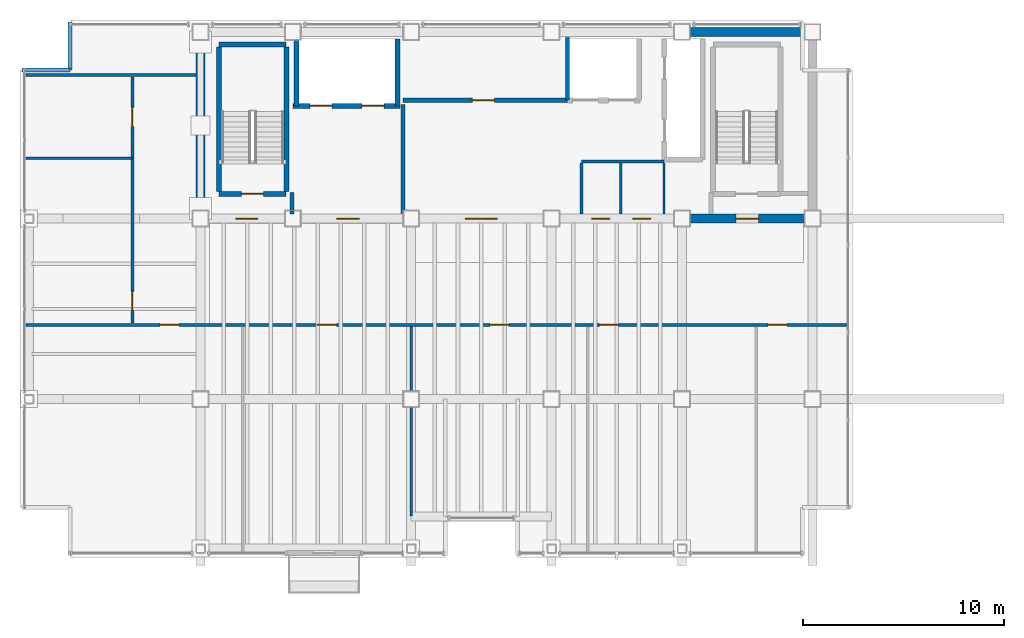
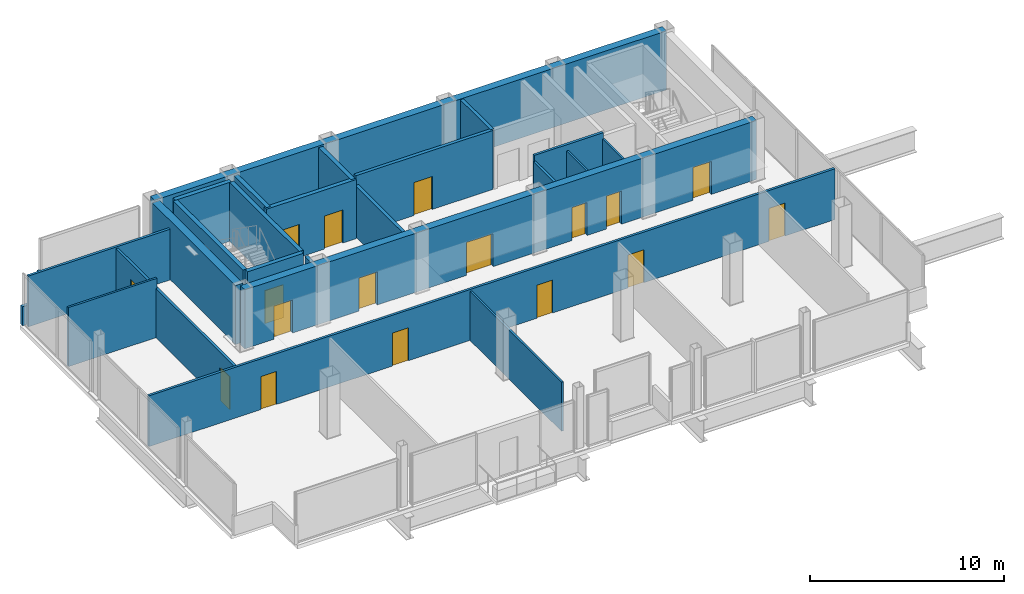
# One storey, part 20 of 22: 25 walls, 17 doors, 17 openings.
"""IFC4 building model written with IfcOpenShell, lengths in metres."""

from ifc_helpers import new_model, si_unit, direction, frame, frame_2d, origin, place, context, subcontext, project, spatial, rectangle, extrude, material, layer, layer_set, type_object, element, fill, save


model = new_model("IFC4")

# Units and contexts
model_context = context("Model", 3, precision=1e-05, world=origin(), true_north=direction((0.0, 1.0)))
body_context = subcontext(model_context, "Body", "Model", "MODEL_VIEW")
ifc_project = project(units=[si_unit("LENGTHUNIT", "METRE"), si_unit("AREAUNIT", "SQUARE_METRE"), si_unit("VOLUMEUNIT", "CUBIC_METRE"), si_unit("PLANEANGLEUNIT", "RADIAN"), si_unit("MASSUNIT", "GRAM", prefix="KILO")], contexts=[model_context])

# Site, building, storey
site_placement = place(None, origin())
site = spatial("IfcSite", under=ifc_project, at=site_placement, CompositionType="ELEMENT")
building_placement = place(site_placement, origin())
building = spatial("IfcBuilding", under=site, at=building_placement, Name="Noeulbin Bourse Tower", CompositionType="ELEMENT")
storey_placement = place(building_placement, frame((0.0, 0.0, 230.60009765625)))
storey = spatial("IfcBuildingStorey", under=building, at=storey_placement, Name="L57", CompositionType="ELEMENT", Elevation=230.60009765625)

# Wall, openings, doors
ifc_material_1 = material(Name="Concrete C50/60", Category="concrete")
ifc_layer_1 = layer(ifc_material_1, 0.449951171875)
ifc_layer_set_1 = layer_set([ifc_layer_1], Name="Concrete C50/60")
wall_type_1 = type_object("IfcWallType", Name="WAL-CORE-450", PredefinedType="SHEAR", material=ifc_layer_set_1)
wall_1_placement = place(storey_placement, frame((13.5, 29.0, 0.0), z_axis=(0.0, 0.0, 1.0), x_axis=(1.0, 0.0, 0.0)))
wall_1 = element("IfcWall", 1, at=wall_1_placement, inside=storey, type_object=wall_type_1, Name="Rear Core South Shear Wall L57", PredefinedType="SHEAR", context=body_context, shape_type="SweptSolid", body=[
    extrude(rectangle(XDim=30.5, YDim=0.449951171875, at=frame_2d((15.25, 0.0))), origin(), (0.0, 0.0, 1.0), 3.719970703125),
])
opening_1_placement = place(wall_1_placement, frame((1.75, 0.0, 0.0)))
opening_1 = element("IfcOpeningElement", 2, at=opening_1_placement, cuts=wall_1, Name="Opening FD-11", PredefinedType="OPENING", context=body_context, shape_type="SweptSolid", body=[
    extrude(rectangle(XDim=1.10009765625, YDim=2.080078125, at=frame_2d((0.550048828125, 1.0400390625))), frame((0.0, 0.23486328125, 0.0), z_axis=(0.0, -1.0, 0.0), x_axis=(1.0, 0.0, 0.0)), (0.0, 0.0, 1.0), 0.469970703125),
])
opening_2_placement = place(wall_1_placement, frame((26.699951171875, 0.0, 0.0)))
opening_2 = element("IfcOpeningElement", 3, at=opening_2_placement, cuts=wall_1, Name="Opening FD-11", PredefinedType="OPENING", context=body_context, shape_type="SweptSolid", body=[
    extrude(rectangle(XDim=1.10009765625, YDim=2.080078125, at=frame_2d((0.550048828125, 1.0400390625))), frame((0.0, 0.23486328125, 0.0), z_axis=(0.0, -1.0, 0.0), x_axis=(1.0, 0.0, 0.0)), (0.0, 0.0, 1.0), 0.469970703125),
])
opening_3_placement = place(wall_1_placement, frame((6.800048828125, 0.0, 0.0)))
opening_3 = element("IfcOpeningElement", 4, at=opening_3_placement, cuts=wall_1, Name="Opening FD-11", PredefinedType="OPENING", context=body_context, shape_type="SweptSolid", body=[
    extrude(rectangle(XDim=1.10009765625, YDim=2.080078125, at=frame_2d((0.550048828125, 1.0400390625))), frame((0.0, 0.23486328125, 0.0), z_axis=(0.0, -1.0, 0.0), x_axis=(1.0, 0.0, 0.0)), (0.0, 0.0, 1.0), 0.469970703125),
])
opening_4_placement = place(wall_1_placement, frame((13.199951171875, 0.0, 0.0)))
opening_4 = element("IfcOpeningElement", 5, at=opening_4_placement, cuts=wall_1, Name="Opening ID-16", PredefinedType="OPENING", context=body_context, shape_type="SweptSolid", body=[
    extrude(rectangle(XDim=1.60009765625, YDim=2.080078125, at=frame_2d((0.800048828125, 1.0400390625))), frame((0.0, 0.23486328125, 0.0), z_axis=(0.0, -1.0, 0.0), x_axis=(1.0, 0.0, 0.0)), (0.0, 0.0, 1.0), 0.469970703125),
])
opening_5_placement = place(wall_1_placement, frame((19.5, 0.0, 0.0)))
opening_5 = element("IfcOpeningElement", 6, at=opening_5_placement, cuts=wall_1, Name="Opening FD-09", PredefinedType="OPENING", context=body_context, shape_type="SweptSolid", body=[
    extrude(rectangle(XDim=0.89990234375, YDim=2.080078125, at=frame_2d((0.449951171875, 1.0400390625))), frame((0.0, 0.23486328125, 0.0), z_axis=(0.0, -1.0, 0.0), x_axis=(1.0, 0.0, 0.0)), (0.0, 0.0, 1.0), 0.469970703125),
])
opening_6_placement = place(wall_1_placement, frame((21.550048828125, 0.0, 0.0)))
opening_6 = element("IfcOpeningElement", 7, at=opening_6_placement, cuts=wall_1, Name="Opening FD-09", PredefinedType="OPENING", context=body_context, shape_type="SweptSolid", body=[
    extrude(rectangle(XDim=0.89990234375, YDim=2.080078125, at=frame_2d((0.449951171875, 1.0400390625))), frame((0.0, 0.23486328125, 0.0), z_axis=(0.0, -1.0, 0.0), x_axis=(1.0, 0.0, 0.0)), (0.0, 0.0, 1.0), 0.469970703125),
])
ifc_material_2 = material(Name="Acoustic Glazed Aluminium", Category="aluminium")
door_type_1 = type_object("IfcDoorType", Name="DR-DBL-1600", OperationType="DOUBLE_DOOR_SINGLE_SWING", PredefinedType="DOOR", material=ifc_material_2)
door_1_placement = place(opening_4_placement, origin())
door_1 = element("IfcDoor", 8, at=door_1_placement, inside=storey, type_object=door_type_1, Name="Passenger Lift Lobby Portal L57", OperationType="DOUBLE_DOOR_SINGLE_SWING", OverallHeight=2.080078125, OverallWidth=1.60009765625, PredefinedType="DOOR", context=body_context, shape_type="SweptSolid", body=[
    extrude(rectangle(XDim=1.60009765625, YDim=2.080078125, at=frame_2d((0.800048828125, 1.0400390625))), frame((0.0, 0.02490234375, 0.0), z_axis=(0.0, -1.0, 0.0), x_axis=(1.0, 0.0, 0.0)), (0.0, 0.0, 1.0), 0.050048828125),
])
fill(opening_4, door_1)
ifc_material_3 = material(Name="Fire-Rated Timber Core", Category="wood")
door_type_2 = type_object("IfcDoorType", Name="DR-FD30-900", OperationType="SINGLE_SWING_RIGHT", PredefinedType="DOOR", material=ifc_material_3)
door_2_placement = place(opening_5_placement, origin())
door_2 = element("IfcDoor", 9, at=door_2_placement, inside=storey, type_object=door_type_2, Name="Interior Door L57-06", OperationType="SINGLE_SWING_LEFT", OverallHeight=2.080078125, OverallWidth=0.89990234375, PredefinedType="DOOR", context=body_context, shape_type="SweptSolid", body=[
    extrude(rectangle(XDim=0.89990234375, YDim=2.080078125, at=frame_2d((0.449951171875, 1.0400390625))), frame((0.0, 0.02490234375, 0.0), z_axis=(0.0, -1.0, 0.0), x_axis=(1.0, 0.0, 0.0)), (0.0, 0.0, 1.0), 0.050048828125),
])
fill(opening_5, door_2)
door_3_placement = place(opening_6_placement, origin())
door_3 = element("IfcDoor", 10, at=door_3_placement, inside=storey, type_object=door_type_2, Name="Interior Door L57-07", OperationType="SINGLE_SWING_RIGHT", OverallHeight=2.080078125, OverallWidth=0.89990234375, PredefinedType="DOOR", context=body_context, shape_type="SweptSolid", body=[
    extrude(rectangle(XDim=0.89990234375, YDim=2.080078125, at=frame_2d((0.449951171875, 1.0400390625))), frame((0.0, 0.02490234375, 0.0), z_axis=(0.0, -1.0, 0.0), x_axis=(1.0, 0.0, 0.0)), (0.0, 0.0, 1.0), 0.050048828125),
])
fill(opening_6, door_3)
ifc_material_4 = material(Name="Fire-Rated Insulated Steel", Category="steel")
door_type_3 = type_object("IfcDoorType", Name="DR-FD60-1100", OperationType="SINGLE_SWING_LEFT", PredefinedType="DOOR", material=ifc_material_4)
door_4_placement = place(opening_1_placement, origin())
door_4 = element("IfcDoor", 11, at=door_4_placement, inside=storey, type_object=door_type_3, Name="West Stair Lobby Door L57", OperationType="SINGLE_SWING_RIGHT", OverallHeight=2.080078125, OverallWidth=1.10009765625, PredefinedType="DOOR", context=body_context, shape_type="SweptSolid", body=[
    extrude(rectangle(XDim=1.10009765625, YDim=2.080078125, at=frame_2d((0.550048828125, 1.0400390625))), frame((0.0, 0.02490234375, 0.0), z_axis=(0.0, -1.0, 0.0), x_axis=(1.0, 0.0, 0.0)), (0.0, 0.0, 1.0), 0.050048828125),
])
fill(opening_1, door_4)
door_5_placement = place(opening_2_placement, origin())
door_5 = element("IfcDoor", 12, at=door_5_placement, inside=storey, type_object=door_type_3, Name="East Stair Lobby Door L57", OperationType="SINGLE_SWING_LEFT", OverallHeight=2.080078125, OverallWidth=1.10009765625, PredefinedType="DOOR", context=body_context, shape_type="SweptSolid", body=[
    extrude(rectangle(XDim=1.10009765625, YDim=2.080078125, at=frame_2d((0.550048828125, 1.0400390625))), frame((0.0, 0.02490234375, 0.0), z_axis=(0.0, -1.0, 0.0), x_axis=(1.0, 0.0, 0.0)), (0.0, 0.0, 1.0), 0.050048828125),
])
fill(opening_2, door_5)
door_6_placement = place(opening_3_placement, origin())
door_6 = element("IfcDoor", 13, at=door_6_placement, inside=storey, type_object=door_type_3, Name="Firefighting Lobby Door L57", OperationType="SINGLE_SWING_RIGHT", OverallHeight=2.080078125, OverallWidth=1.10009765625, PredefinedType="DOOR", context=body_context, shape_type="SweptSolid", body=[
    extrude(rectangle(XDim=1.10009765625, YDim=2.080078125, at=frame_2d((0.550048828125, 1.0400390625))), frame((0.0, 0.02490234375, 0.0), z_axis=(0.0, -1.0, 0.0), x_axis=(1.0, 0.0, 0.0)), (0.0, 0.0, 1.0), 0.050048828125),
])
fill(opening_3, door_6)

# Walls
wall_2_placement = place(storey_placement, frame((13.5, 38.300048828125, 0.0), z_axis=(0.0, 0.0, 1.0), x_axis=(1.0, 0.0, 0.0)))
element("IfcWall", 14, at=wall_2_placement, inside=storey, type_object=wall_type_1, Name="Rear Core North Shear Wall L57", PredefinedType="SHEAR", context=body_context, shape_type="SweptSolid", body=[
    extrude(rectangle(XDim=30.5, YDim=0.449951171875, at=frame_2d((15.25, 0.0))), origin(), (0.0, 0.0, 1.0), 3.719970703125),
])
wall_3_placement = place(storey_placement, frame((13.5, 29.35009765625, 0.0), z_axis=(0.0, 0.0, 1.0), x_axis=(0.0, 1.0, 0.0)))
element("IfcWall", 15, at=wall_3_placement, inside=storey, type_object=wall_type_1, Name="Rear Core West Shear Wall L57", PredefinedType="SHEAR", context=body_context, shape_type="SweptSolid", body=[
    extrude(rectangle(XDim=8.599853515625, YDim=0.449951171875, at=frame_2d((4.2998046875, 0.0))), origin(), (0.0, 0.0, 1.0), 3.719970703125),
])

# Wall, opening, door
ifc_material_5 = material(Name="Concrete C40/50", Category="concrete")
ifc_layer_2 = layer(ifc_material_5, 0.199951171875)
ifc_layer_set_2 = layer_set([ifc_layer_2], Name="Concrete C40/50")
wall_type_2 = type_object("IfcWallType", Name="WAL-FIRE-200", PredefinedType="STANDARD", material=ifc_layer_set_2)
wall_4_placement = place(storey_placement, frame((23.60009765625, 34.89990234375, 0.0), z_axis=(0.0, 0.0, 1.0), x_axis=(1.0, 0.0, 0.0)))
wall_4 = element("IfcWall", 16, at=wall_4_placement, inside=storey, type_object=wall_type_2, Name="Interior Partition Wall L57-02", PredefinedType="STANDARD", context=body_context, shape_type="SweptSolid", body=[
    extrude(rectangle(XDim=8.179931640625, YDim=0.199951171875, at=frame_2d((4.08984375, 0.0))), origin(), (0.0, 0.0, 1.0), 3.719970703125),
])
opening_7_placement = place(wall_4_placement, frame((3.449951171875, 0.0, 0.0)))
opening_7 = element("IfcOpeningElement", 17, at=opening_7_placement, cuts=wall_4, Name="Opening FD-11", PredefinedType="OPENING", context=body_context, shape_type="SweptSolid", body=[
    extrude(rectangle(XDim=1.10009765625, YDim=2.080078125, at=frame_2d((0.550048828125, 1.0400390625))), frame((0.0, 0.10986328125, 0.0), z_axis=(0.0, -1.0, 0.0), x_axis=(1.0, 0.0, 0.0)), (0.0, 0.0, 1.0), 0.219970703125),
])
door_7_placement = place(opening_7_placement, origin())
door_7 = element("IfcDoor", 18, at=door_7_placement, inside=storey, type_object=door_type_3, Name="Telemetry Server Door L57", OperationType="SINGLE_SWING_RIGHT", OverallHeight=2.080078125, OverallWidth=1.10009765625, PredefinedType="DOOR", context=body_context, shape_type="SweptSolid", body=[
    extrude(rectangle(XDim=1.10009765625, YDim=2.080078125, at=frame_2d((0.550048828125, 1.0400390625))), frame((0.0, 0.02490234375, 0.0), z_axis=(0.0, -1.0, 0.0), x_axis=(1.0, 0.0, 0.0)), (0.0, 0.0, 1.0), 0.050048828125),
])
fill(opening_7, door_7)

# Walls
wall_5_placement = place(storey_placement, frame((18.050048828125, 29.235107421875, 0.0), z_axis=(0.0, 0.0, 1.0), x_axis=(0.0, 1.0, 0.0)))
element("IfcWall", 19, at=wall_5_placement, inside=storey, type_object=wall_type_2, Name="Interior Partition Wall L57-07", PredefinedType="STANDARD", context=body_context, shape_type="SweptSolid", body=[
    extrude(rectangle(XDim=1.06494140625, YDim=0.199951171875, at=frame_2d((0.532470703125, 0.0))), origin(), (0.0, 0.0, 1.0), 3.349853515625),
])
wall_6_placement = place(storey_placement, frame((23.60009765625, 29.235107421875, 0.0), z_axis=(0.0, 0.0, 1.0), x_axis=(0.0, 1.0, 0.0)))
element("IfcWall", 20, at=wall_6_placement, inside=storey, type_object=wall_type_2, Name="Interior Partition Wall L57-09", PredefinedType="STANDARD", context=body_context, shape_type="SweptSolid", body=[
    extrude(rectangle(XDim=5.46484375, YDim=0.199951171875, at=frame_2d((2.732421875, 0.0))), origin(), (0.0, 0.0, 1.0), 3.199951171875),
])
ifc_layer_3 = layer(ifc_material_5, 0.199951171875)
ifc_layer_set_3 = layer_set([ifc_layer_3], Name="Concrete C40/50")
wall_type_3 = type_object("IfcWallType", Name="WAL-PAR-200", PredefinedType="PARAPET", material=ifc_layer_set_3)
wall_7_placement = place(storey_placement, frame((4.60009765625, 36.39990234375, 0.0), z_axis=(0.0, 0.0, 1.0), x_axis=(1.0, 0.0, 0.0)))
element("IfcWall", 21, at=wall_7_placement, inside=storey, type_object=wall_type_3, Name="Corner Notch Parapet L57-NW1", PredefinedType="PARAPET", context=body_context, shape_type="SweptSolid", body=[
    extrude(rectangle(XDim=2.39990234375, YDim=0.199951171875, at=frame_2d((1.199951171875, 0.0))), origin(), (0.0, 0.0, 1.0), 1.199951171875),
])
wall_8_placement = place(storey_placement, frame((7.0, 36.39990234375, 0.0), z_axis=(0.0, 0.0, 1.0), x_axis=(0.0, 1.0, 0.0)))
element("IfcWall", 22, at=wall_8_placement, inside=storey, type_object=wall_type_3, Name="Corner Notch Parapet L57-NW2", PredefinedType="PARAPET", context=body_context, shape_type="SweptSolid", body=[
    extrude(rectangle(XDim=2.400146484375, YDim=0.199951171875, at=frame_2d((1.2001953125, 0.0))), origin(), (0.0, 0.0, 1.0), 1.199951171875),
])
ifc_material_6 = material(Name="Steel Stud Gypsum Partition", Category="steel")
ifc_layer_4 = layer(ifc_material_6, 0.1201171875)
ifc_layer_set_4 = layer_set([ifc_layer_4], Name="Steel Stud Gypsum Partition")
wall_type_4 = type_object("IfcWallType", Name="WAL-PRT-120", PredefinedType="PARTITIONING", material=ifc_layer_set_4)
wall_9_placement = place(storey_placement, frame((4.81005859375, 32.0, 0.0), z_axis=(0.0, 0.0, 1.0), x_axis=(1.0, 0.0, 0.0)))
element("IfcWall", 23, at=wall_9_placement, inside=storey, type_object=wall_type_4, Name="Interior Partition Wall L57-06", PredefinedType="PARTITIONING", context=body_context, shape_type="SweptSolid", body=[
    extrude(rectangle(XDim=5.2900390625, YDim=0.1201171875, at=frame_2d((2.64501953125, 0.0))), origin(), (0.0, 0.0, 1.0), 3.719970703125),
])
for number, where, z_axis, x_axis, name in (
    (24, (36.60009765625, 29.235107421875, 0.0), (0.0, 0.0, 1.0), (0.0, 1.0, 0.0), "Interior Partition Wall L57-11"),
    (25, (34.449951171875, 29.235107421875, 0.0), (0.0, 0.0, 1.0), (0.0, 1.0, 0.0), "Interior Partition Wall L57-12"),
):
    element("IfcWall", number, at=place(storey_placement, frame(where, z_axis=z_axis, x_axis=x_axis)), inside=storey, type_object=wall_type_4, Name=name, PredefinedType="PARTITIONING", context=body_context, shape_type="SweptSolid", body=[
        extrude(rectangle(XDim=2.52978515625, YDim=0.1201171875, at=frame_2d((1.264892578125, 0.0))), origin(), (0.0, 0.0, 1.0), 3.349853515625),
    ])
wall_10_placement = place(storey_placement, frame((24.0, 14.169921875, 0.0), z_axis=(0.0, 0.0, 1.0), x_axis=(0.0, 1.0, 0.0)))
element("IfcWall", 26, at=wall_10_placement, inside=storey, type_object=wall_type_4, Name="Interior Partition Wall L57-15", PredefinedType="PARTITIONING", context=body_context, shape_type="SweptSolid", body=[
    extrude(rectangle(XDim=9.445068359375, YDim=0.1201171875, at=frame_2d((4.72265625, 0.0))), origin(), (0.0, 0.0, 1.0), 3.099853515625),
])
ifc_material_7 = material(Name="Steel Stud Acoustic Gypsum Board", Category="steel")
ifc_layer_5 = layer(ifc_material_7, 0.14990234375)
ifc_layer_set_5 = layer_set([ifc_layer_5], Name="Steel Stud Acoustic Gypsum Board")
wall_type_5 = type_object("IfcWallType", Name="WAL-PRT-150", PredefinedType="PARTITIONING", material=ifc_layer_set_5)
wall_11_placement = place(storey_placement, frame((32.5, 31.85009765625, 0.0), z_axis=(0.0, 0.0, 1.0), x_axis=(1.0, 0.0, 0.0)))
element("IfcWall", 27, at=wall_11_placement, inside=storey, type_object=wall_type_5, Name="Interior Partition Wall L57-03", PredefinedType="PARTITIONING", context=body_context, shape_type="SweptSolid", body=[
    extrude(rectangle(XDim=4.10009765625, YDim=0.14990234375, at=frame_2d((2.050048828125, 0.0))), origin(), (0.0, 0.0, 1.0), 3.719970703125),
])

# Wall, openings, doors
wall_12_placement = place(storey_placement, frame((4.81005859375, 23.699951171875, 0.0), z_axis=(0.0, 0.0, 1.0), x_axis=(1.0, 0.0, 0.0)))
wall_12 = element("IfcWall", 28, at=wall_12_placement, inside=storey, type_object=wall_type_5, Name="Interior Partition Wall L57-04", PredefinedType="PARTITIONING", context=body_context, shape_type="SweptSolid", body=[
    extrude(rectangle(XDim=40.8798828125, YDim=0.14990234375, at=frame_2d((20.43994140625, 0.0))), origin(), (0.0, 0.0, 1.0), 3.199951171875),
])
opening_8_placement = place(wall_12_placement, frame((6.6650390625, 0.0, 0.0)))
opening_8 = element("IfcOpeningElement", 29, at=opening_8_placement, cuts=wall_12, Name="Opening ID-09", PredefinedType="OPENING", context=body_context, shape_type="SweptSolid", body=[
    extrude(rectangle(XDim=0.949951171875, YDim=2.080078125, at=frame_2d((0.47509765625, 1.0400390625))), frame((0.0, 0.0849609375, 0.0), z_axis=(0.0, -1.0, 0.0), x_axis=(1.0, 0.0, 0.0)), (0.0, 0.0, 1.0), 0.169921875),
])
opening_9_placement = place(wall_12_placement, frame((14.514892578125, 0.0, 0.0)))
opening_9 = element("IfcOpeningElement", 30, at=opening_9_placement, cuts=wall_12, Name="Opening ID-09", PredefinedType="OPENING", context=body_context, shape_type="SweptSolid", body=[
    extrude(rectangle(XDim=0.949951171875, YDim=2.080078125, at=frame_2d((0.47509765625, 1.0400390625))), frame((0.0, 0.0849609375, 0.0), z_axis=(0.0, -1.0, 0.0), x_axis=(1.0, 0.0, 0.0)), (0.0, 0.0, 1.0), 0.169921875),
])
opening_10_placement = place(wall_12_placement, frame((23.114990234375, 0.0, 0.0)))
opening_10 = element("IfcOpeningElement", 31, at=opening_10_placement, cuts=wall_12, Name="Opening ID-09", PredefinedType="OPENING", context=body_context, shape_type="SweptSolid", body=[
    extrude(rectangle(XDim=0.949951171875, YDim=2.080078125, at=frame_2d((0.47509765625, 1.0400390625))), frame((0.0, 0.0849609375, 0.0), z_axis=(0.0, -1.0, 0.0), x_axis=(1.0, 0.0, 0.0)), (0.0, 0.0, 1.0), 0.169921875),
])
opening_11_placement = place(wall_12_placement, frame((28.56494140625, 0.0, 0.0)))
opening_11 = element("IfcOpeningElement", 32, at=opening_11_placement, cuts=wall_12, Name="Opening ID-09", PredefinedType="OPENING", context=body_context, shape_type="SweptSolid", body=[
    extrude(rectangle(XDim=0.949951171875, YDim=2.080078125, at=frame_2d((0.47509765625, 1.0400390625))), frame((0.0, 0.0849609375, 0.0), z_axis=(0.0, -1.0, 0.0), x_axis=(1.0, 0.0, 0.0)), (0.0, 0.0, 1.0), 0.169921875),
])
opening_12_placement = place(wall_12_placement, frame((36.965087890625, 0.0, 0.0)))
opening_12 = element("IfcOpeningElement", 33, at=opening_12_placement, cuts=wall_12, Name="Opening ID-09", PredefinedType="OPENING", context=body_context, shape_type="SweptSolid", body=[
    extrude(rectangle(XDim=0.949951171875, YDim=2.080078125, at=frame_2d((0.47509765625, 1.0400390625))), frame((0.0, 0.0849609375, 0.0), z_axis=(0.0, -1.0, 0.0), x_axis=(1.0, 0.0, 0.0)), (0.0, 0.0, 1.0), 0.169921875),
])
ifc_material_8 = material(Name="Acoustic Solid-Core Timber", Category="wood")
door_type_4 = type_object("IfcDoorType", Name="DR-SINGLE-950", OperationType="SINGLE_SWING_LEFT", PredefinedType="DOOR", material=ifc_material_8)
door_8_placement = place(opening_8_placement, origin())
door_8 = element("IfcDoor", 34, at=door_8_placement, inside=storey, type_object=door_type_4, Name="Interior Door L57-08", OperationType="SINGLE_SWING_LEFT", OverallHeight=2.080078125, OverallWidth=0.949951171875, PredefinedType="DOOR", context=body_context, shape_type="SweptSolid", body=[
    extrude(rectangle(XDim=0.949951171875, YDim=2.080078125, at=frame_2d((0.47509765625, 1.0400390625))), frame((0.0, 0.02490234375, 0.0), z_axis=(0.0, -1.0, 0.0), x_axis=(1.0, 0.0, 0.0)), (0.0, 0.0, 1.0), 0.050048828125),
])
fill(opening_8, door_8)
door_9_placement = place(opening_9_placement, origin())
door_9 = element("IfcDoor", 35, at=door_9_placement, inside=storey, type_object=door_type_4, Name="Interior Door L57-09", OperationType="SINGLE_SWING_RIGHT", OverallHeight=2.080078125, OverallWidth=0.949951171875, PredefinedType="DOOR", context=body_context, shape_type="SweptSolid", body=[
    extrude(rectangle(XDim=0.949951171875, YDim=2.080078125, at=frame_2d((0.47509765625, 1.0400390625))), frame((0.0, 0.02490234375, 0.0), z_axis=(0.0, -1.0, 0.0), x_axis=(1.0, 0.0, 0.0)), (0.0, 0.0, 1.0), 0.050048828125),
])
fill(opening_9, door_9)
door_10_placement = place(opening_10_placement, origin())
door_10 = element("IfcDoor", 36, at=door_10_placement, inside=storey, type_object=door_type_4, Name="Interior Door L57-10", OperationType="SINGLE_SWING_LEFT", OverallHeight=2.080078125, OverallWidth=0.949951171875, PredefinedType="DOOR", context=body_context, shape_type="SweptSolid", body=[
    extrude(rectangle(XDim=0.949951171875, YDim=2.080078125, at=frame_2d((0.47509765625, 1.0400390625))), frame((0.0, 0.02490234375, 0.0), z_axis=(0.0, -1.0, 0.0), x_axis=(1.0, 0.0, 0.0)), (0.0, 0.0, 1.0), 0.050048828125),
])
fill(opening_10, door_10)
door_11_placement = place(opening_11_placement, origin())
door_11 = element("IfcDoor", 37, at=door_11_placement, inside=storey, type_object=door_type_4, Name="Interior Door L57-11", OperationType="SINGLE_SWING_RIGHT", OverallHeight=2.080078125, OverallWidth=0.949951171875, PredefinedType="DOOR", context=body_context, shape_type="SweptSolid", body=[
    extrude(rectangle(XDim=0.949951171875, YDim=2.080078125, at=frame_2d((0.47509765625, 1.0400390625))), frame((0.0, 0.02490234375, 0.0), z_axis=(0.0, -1.0, 0.0), x_axis=(1.0, 0.0, 0.0)), (0.0, 0.0, 1.0), 0.050048828125),
])
fill(opening_11, door_11)
door_12_placement = place(opening_12_placement, origin())
door_12 = element("IfcDoor", 38, at=door_12_placement, inside=storey, type_object=door_type_4, Name="Interior Door L57-12", OperationType="SINGLE_SWING_LEFT", OverallHeight=2.080078125, OverallWidth=0.949951171875, PredefinedType="DOOR", context=body_context, shape_type="SweptSolid", body=[
    extrude(rectangle(XDim=0.949951171875, YDim=2.080078125, at=frame_2d((0.47509765625, 1.0400390625))), frame((0.0, 0.02490234375, 0.0), z_axis=(0.0, -1.0, 0.0), x_axis=(1.0, 0.0, 0.0)), (0.0, 0.0, 1.0), 0.050048828125),
])
fill(opening_12, door_12)

# Walls
wall_13_placement = place(storey_placement, frame((4.81005859375, 36.14990234375, 0.0), z_axis=(0.0, 0.0, 1.0), x_axis=(1.0, 0.0, 0.0)))
element("IfcWall", 39, at=wall_13_placement, inside=storey, type_object=wall_type_5, Name="Interior Partition Wall L57-05", PredefinedType="PARTITIONING", context=body_context, shape_type="SweptSolid", body=[
    extrude(rectangle(XDim=8.454833984375, YDim=0.14990234375, at=frame_2d((4.2275390625, 0.0))), origin(), (0.0, 0.0, 1.0), 3.199951171875),
])
wall_14_placement = place(storey_placement, frame((32.5, 29.235107421875, 0.0), z_axis=(0.0, 0.0, 1.0), x_axis=(0.0, 1.0, 0.0)))
element("IfcWall", 40, at=wall_14_placement, inside=storey, type_object=wall_type_5, Name="Interior Partition Wall L57-10", PredefinedType="PARTITIONING", context=body_context, shape_type="SweptSolid", body=[
    extrude(rectangle(XDim=2.52978515625, YDim=0.14990234375, at=frame_2d((1.264892578125, 0.0))), origin(), (0.0, 0.0, 1.0), 3.349853515625),
])

# Wall, openings, doors
wall_15_placement = place(storey_placement, frame((10.10009765625, 23.784912109375, 0.0), z_axis=(0.0, 0.0, 1.0), x_axis=(0.0, 1.0, 0.0)))
wall_15 = element("IfcWall", 41, at=wall_15_placement, inside=storey, type_object=wall_type_5, Name="Interior Partition Wall L57-13", PredefinedType="PARTITIONING", context=body_context, shape_type="SweptSolid", body=[
    extrude(rectangle(XDim=12.280029296875, YDim=0.14990234375, at=frame_2d((6.14013671875, 0.0))), origin(), (0.0, 0.0, 1.0), 3.099853515625),
])
opening_13_placement = place(wall_15_placement, frame((0.639892578125, 0.0, 0.0)))
opening_13 = element("IfcOpeningElement", 42, at=opening_13_placement, cuts=wall_15, Name="Opening ID-09", PredefinedType="OPENING", context=body_context, shape_type="SweptSolid", body=[
    extrude(rectangle(XDim=0.949951171875, YDim=2.080078125, at=frame_2d((0.47509765625, 1.0400390625))), frame((0.0, 0.0849609375, 0.0), z_axis=(0.0, -1.0, 0.0), x_axis=(1.0, 0.0, 0.0)), (0.0, 0.0, 1.0), 0.169921875),
])
opening_14_placement = place(wall_15_placement, frame((9.81494140625, 0.0, 0.0)))
opening_14 = element("IfcOpeningElement", 43, at=opening_14_placement, cuts=wall_15, Name="Opening ID-09", PredefinedType="OPENING", context=body_context, shape_type="SweptSolid", body=[
    extrude(rectangle(XDim=0.949951171875, YDim=2.080078125, at=frame_2d((0.47509765625, 1.0400390625))), frame((0.0, 0.0849609375, 0.0), z_axis=(0.0, -1.0, 0.0), x_axis=(1.0, 0.0, 0.0)), (0.0, 0.0, 1.0), 0.169921875),
])
door_13_placement = place(opening_13_placement, origin())
door_13 = element("IfcDoor", 44, at=door_13_placement, inside=storey, type_object=door_type_4, Name="Interior Door L57-13", OperationType="SINGLE_SWING_RIGHT", OverallHeight=2.080078125, OverallWidth=0.949951171875, PredefinedType="DOOR", context=body_context, shape_type="SweptSolid", body=[
    extrude(rectangle(XDim=0.949951171875, YDim=2.080078125, at=frame_2d((0.47509765625, 1.0400390625))), frame((0.0, 0.02490234375, 0.0), z_axis=(0.0, -1.0, 0.0), x_axis=(1.0, 0.0, 0.0)), (0.0, 0.0, 1.0), 0.050048828125),
])
fill(opening_13, door_13)
door_14_placement = place(opening_14_placement, origin())
door_14 = element("IfcDoor", 45, at=door_14_placement, inside=storey, type_object=door_type_4, Name="Interior Door L57-14", OperationType="SINGLE_SWING_LEFT", OverallHeight=2.080078125, OverallWidth=0.949951171875, PredefinedType="DOOR", context=body_context, shape_type="SweptSolid", body=[
    extrude(rectangle(XDim=0.949951171875, YDim=2.080078125, at=frame_2d((0.47509765625, 1.0400390625))), frame((0.0, 0.02490234375, 0.0), z_axis=(0.0, -1.0, 0.0), x_axis=(1.0, 0.0, 0.0)), (0.0, 0.0, 1.0), 0.050048828125),
])
fill(opening_14, door_14)

# Wall, opening, door
ifc_layer_6 = layer(ifc_material_5, 0.25)
ifc_layer_set_6 = layer_set([ifc_layer_6], Name="Concrete C40/50")
wall_type_6 = type_object("IfcWallType", Name="WAL-SHFT-250", PredefinedType="STANDARD", material=ifc_layer_set_6)
wall_16_placement = place(storey_placement, frame((14.429931640625, 30.235107421875, 0.0), z_axis=(0.0, 0.0, 1.0), x_axis=(1.0, 0.0, 0.0)))
wall_16 = element("IfcWall", 46, at=wall_16_placement, inside=storey, type_object=wall_type_6, Name="Stair ST-1 South Shaft Wall L57", PredefinedType="STANDARD", context=body_context, shape_type="SweptSolid", body=[
    extrude(rectangle(XDim=3.340087890625, YDim=0.25, at=frame_2d((1.669921875, 0.0))), origin(), (0.0, 0.0, 1.0), 3.719970703125),
])
opening_15_placement = place(wall_16_placement, frame((1.10009765625, 0.0, 0.0)))
opening_15 = element("IfcOpeningElement", 47, at=opening_15_placement, cuts=wall_16, Name="Opening FD-11", PredefinedType="OPENING", context=body_context, shape_type="SweptSolid", body=[
    extrude(rectangle(XDim=1.10009765625, YDim=2.080078125, at=frame_2d((0.550048828125, 1.0400390625))), frame((0.0, 0.135009765625, 0.0), z_axis=(0.0, -1.0, 0.0), x_axis=(1.0, 0.0, 0.0)), (0.0, 0.0, 1.0), 0.27001953125),
])
door_15_placement = place(opening_15_placement, origin())
door_15 = element("IfcDoor", 48, at=door_15_placement, inside=storey, type_object=door_type_3, Name="Protected Stair Entry Door ST1-L57", OperationType="SINGLE_SWING_RIGHT", OverallHeight=2.080078125, OverallWidth=1.10009765625, PredefinedType="DOOR", context=body_context, shape_type="SweptSolid", body=[
    extrude(rectangle(XDim=1.10009765625, YDim=2.080078125, at=frame_2d((0.550048828125, 1.0400390625))), frame((0.0, 0.02490234375, 0.0), z_axis=(0.0, -1.0, 0.0), x_axis=(1.0, 0.0, 0.0)), (0.0, 0.0, 1.0), 0.050048828125),
])
fill(opening_15, door_15)

# Walls
wall_17_placement = place(storey_placement, frame((14.429931640625, 37.6689453125, 0.0), z_axis=(0.0, 0.0, 1.0), x_axis=(1.0, 0.0, 0.0)))
element("IfcWall", 49, at=wall_17_placement, inside=storey, type_object=wall_type_6, Name="Stair ST-1 North Shaft Wall L57", PredefinedType="STANDARD", context=body_context, shape_type="SweptSolid", body=[
    extrude(rectangle(XDim=3.340087890625, YDim=0.25, at=frame_2d((1.669921875, 0.0))), origin(), (0.0, 0.0, 1.0), 3.719970703125),
])
for number, where, z_axis, x_axis, name in (
    (50, (14.425048828125, 30.360107421875, 0.0), (0.0, 0.0, 1.0), (0.0, 1.0, 0.0), "Stair ST-1 West Shaft Wall L57"),
    (51, (17.77490234375, 30.360107421875, 0.0), (0.0, 0.0, 1.0), (0.0, 1.0, 0.0), "Stair ST-1 East Shaft Wall L57"),
):
    element("IfcWall", number, at=place(storey_placement, frame(where, z_axis=z_axis, x_axis=x_axis)), inside=storey, type_object=wall_type_6, Name=name, PredefinedType="STANDARD", context=body_context, shape_type="SweptSolid", body=[
        extrude(rectangle(XDim=7.183837890625, YDim=0.25, at=frame_2d((3.591796875, 0.0))), origin(), (0.0, 0.0, 1.0), 3.719970703125),
    ])

# Wall, openings, doors
wall_18_placement = place(storey_placement, frame((18.10009765625, 34.6201171875, 0.0), z_axis=(0.0, 0.0, 1.0), x_axis=(1.0, 0.0, 0.0)))
wall_18 = element("IfcWall", 52, at=wall_18_placement, inside=storey, type_object=wall_type_6, Name="Firefighting Lift Shaft Front L57", PredefinedType="STANDARD", context=body_context, shape_type="SweptSolid", body=[
    extrude(rectangle(XDim=5.349853515625, YDim=0.25, at=frame_2d((2.6748046875, 0.0))), origin(), (0.0, 0.0, 1.0), 3.719970703125),
])
opening_16_placement = place(wall_18_placement, frame((0.85009765625, 0.0, 0.0)))
opening_16 = element("IfcOpeningElement", 53, at=opening_16_placement, cuts=wall_18, Name="Opening LD-11", PredefinedType="OPENING", context=body_context, shape_type="SweptSolid", body=[
    extrude(rectangle(XDim=1.10009765625, YDim=2.080078125, at=frame_2d((0.550048828125, 1.0400390625))), frame((0.0, 0.135009765625, 0.0), z_axis=(0.0, -1.0, 0.0), x_axis=(1.0, 0.0, 0.0)), (0.0, 0.0, 1.0), 0.27001953125),
])
opening_17_placement = place(wall_18_placement, frame((3.449951171875, 0.0, 0.0)))
opening_17 = element("IfcOpeningElement", 54, at=opening_17_placement, cuts=wall_18, Name="Opening LD-11", PredefinedType="OPENING", context=body_context, shape_type="SweptSolid", body=[
    extrude(rectangle(XDim=1.10009765625, YDim=2.080078125, at=frame_2d((0.550048828125, 1.0400390625))), frame((0.0, 0.135009765625, 0.0), z_axis=(0.0, -1.0, 0.0), x_axis=(1.0, 0.0, 0.0)), (0.0, 0.0, 1.0), 0.27001953125),
])
ifc_material_9 = material(Name="Brushed Stainless Steel 316", Category="steel")
door_type_5 = type_object("IfcDoorType", Name="DR-LIFT-1100", OperationType="SLIDING_TO_LEFT", PredefinedType="DOOR", material=ifc_material_9)
door_16_placement = place(opening_16_placement, origin())
door_16 = element("IfcDoor", 55, at=door_16_placement, inside=storey, type_object=door_type_5, Name="Lift Landing Door LD-FL-01-L57", OperationType="SLIDING_TO_LEFT", OverallHeight=2.080078125, OverallWidth=1.10009765625, PredefinedType="DOOR", context=body_context, shape_type="SweptSolid", body=[
    extrude(rectangle(XDim=1.10009765625, YDim=2.080078125, at=frame_2d((0.550048828125, 1.0400390625))), frame((0.0, 0.02490234375, 0.0), z_axis=(0.0, -1.0, 0.0), x_axis=(1.0, 0.0, 0.0)), (0.0, 0.0, 1.0), 0.050048828125),
])
fill(opening_16, door_16)
door_17_placement = place(opening_17_placement, origin())
door_17 = element("IfcDoor", 56, at=door_17_placement, inside=storey, type_object=door_type_5, Name="Lift Landing Door LD-FL-02-L57", OperationType="SLIDING_TO_LEFT", OverallHeight=2.080078125, OverallWidth=1.10009765625, PredefinedType="DOOR", context=body_context, shape_type="SweptSolid", body=[
    extrude(rectangle(XDim=1.10009765625, YDim=2.080078125, at=frame_2d((0.550048828125, 1.0400390625))), frame((0.0, 0.02490234375, 0.0), z_axis=(0.0, -1.0, 0.0), x_axis=(1.0, 0.0, 0.0)), (0.0, 0.0, 1.0), 0.050048828125),
])
fill(opening_17, door_17)

# Walls
for number, where, z_axis, x_axis, name in (
    (57, (18.280029296875, 34.6201171875, 0.0), (0.0, 0.0, 1.0), (0.0, 1.0, 0.0), "Firefighting Lift West Shaft Wall L57"),
    (58, (23.320068359375, 34.6201171875, 0.0), (0.0, 0.0, 1.0), (0.0, 1.0, 0.0), "Firefighting Lift East Shaft Wall L57"),
):
    element("IfcWall", number, at=place(storey_placement, frame(where, z_axis=z_axis, x_axis=x_axis)), inside=storey, type_object=wall_type_6, Name=name, PredefinedType="STANDARD", context=body_context, shape_type="SweptSolid", body=[
        extrude(rectangle(XDim=3.329833984375, YDim=0.25, at=frame_2d((1.6650390625, 0.0))), origin(), (0.0, 0.0, 1.0), 3.719970703125),
    ])
wall_19_placement = place(storey_placement, frame((31.780029296875, 34.89990234375, 0.0), z_axis=(0.0, 0.0, 1.0), x_axis=(0.0, 1.0, 0.0)))
element("IfcWall", 59, at=wall_19_placement, inside=storey, type_object=wall_type_6, Name="Hoistway Side Shaft Wall L57-PLHW", PredefinedType="STANDARD", context=body_context, shape_type="SweptSolid", body=[
    extrude(rectangle(XDim=3.1201171875, YDim=0.199951171875, at=frame_2d((1.56005859375, 0.0))), origin(), (0.0, 0.0, 1.0), 3.719970703125),
])

save(model, "model.ifc")
